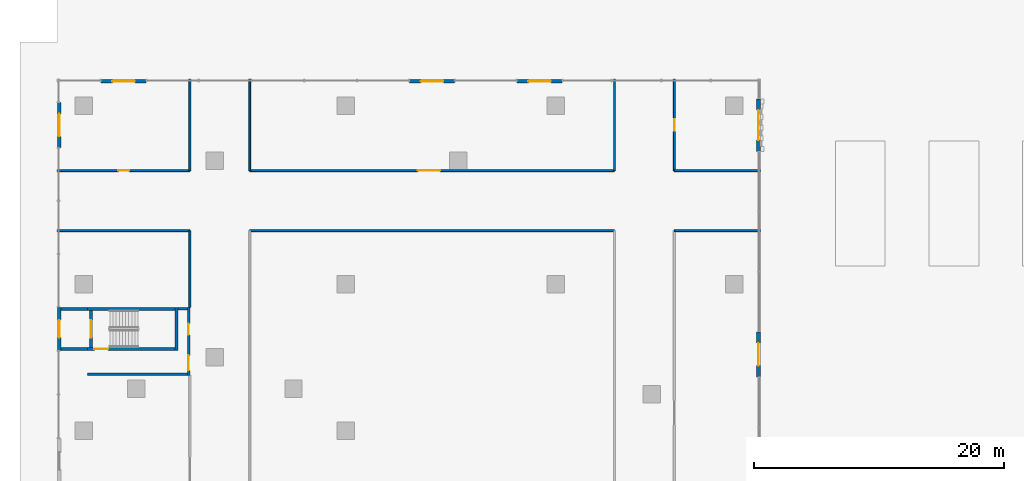
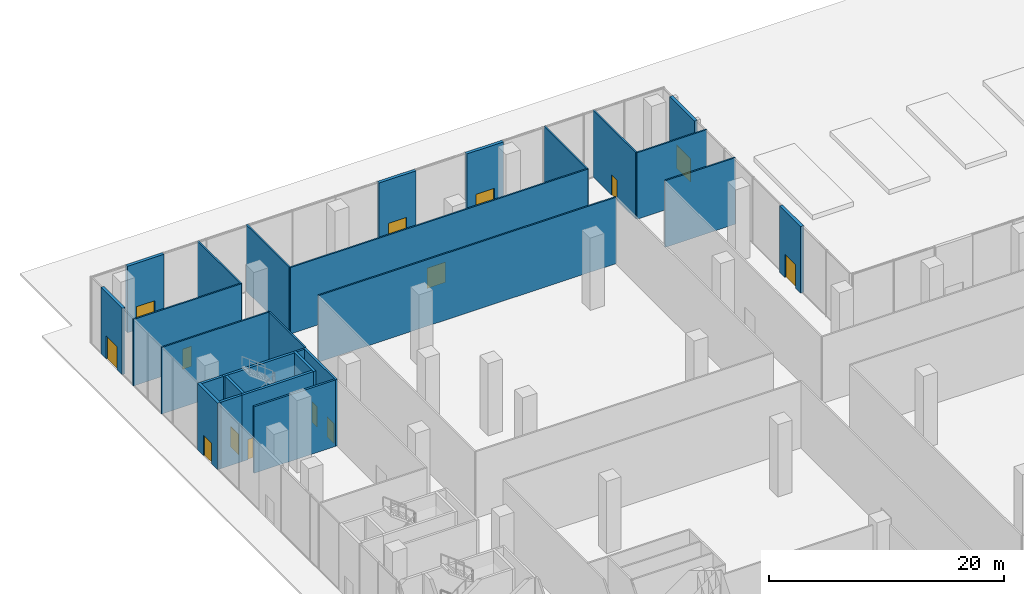
# One storey, part 18 of 26: 27 walls, 14 doors, 14 openings.
"""IFC4 building model written with IfcOpenShell, lengths in metres."""

from ifc_helpers import new_model, si_unit, direction, frame, frame_2d, origin, place, context, subcontext, project, spatial, rectangle, extrude, source, transform, mapped, material, layer, layer_set, type_object, element, fill, save


model = new_model("IFC4")

# Units and contexts
model_context = context("Model", 3, precision=1e-05, world=origin(), true_north=direction((0.0, 1.0)))
body_context = subcontext(model_context, "Body", "Model", "MODEL_VIEW")
ifc_project = project(units=[si_unit("LENGTHUNIT", "METRE"), si_unit("AREAUNIT", "SQUARE_METRE"), si_unit("VOLUMEUNIT", "CUBIC_METRE"), si_unit("PLANEANGLEUNIT", "RADIAN"), si_unit("MASSUNIT", "GRAM", prefix="KILO")], contexts=[model_context])

# Site, building, storey
site_placement = place(None, origin())
site = spatial("IfcSite", under=ifc_project, at=site_placement, CompositionType="ELEMENT")
building_placement = place(site_placement, origin())
building = spatial("IfcBuilding", under=site, at=building_placement, Name="Aurelian Terraces", CompositionType="ELEMENT")
storey_placement = place(building_placement, origin())
storey = spatial("IfcBuildingStorey", under=building, at=storey_placement, Name="L00", CompositionType="ELEMENT", Elevation=0.0)

# Walls
ifc_material_1 = material(Name="Gypsum board on steel studs", Category="steel")
ifc_layer_1 = layer(ifc_material_1, 0.15)
ifc_layer_set_1 = layer_set([ifc_layer_1], Name="Special partition 150")
wall_type_1 = type_object("IfcWallType", Name="Special partition 150", PredefinedType="PARTITIONING", material=ifc_layer_set_1)
wall_1_placement = place(storey_placement, frame((47.3, 74.0, 0.0), z_axis=(0.0, 0.0, 1.0), x_axis=(1.0, 0.0, 0.0)))
element("IfcWall", 1, at=wall_1_placement, inside=storey, type_object=wall_type_1, Name="L00 partition W21", PredefinedType="PARTITIONING", context=body_context, shape_type="SweptSolid", body=[
    extrude(rectangle(XDim=6.88, YDim=0.15, at=frame_2d((3.44, 0.0))), origin(), (0.0, 0.0, 1.0), 6.9),
])
wall_2_placement = place(storey_placement, frame((8.5, 67.85, 0.0), z_axis=(0.0, 0.0, 1.0), x_axis=(0.0, 1.0, 0.0)))
element("IfcWall", 2, at=wall_2_placement, inside=storey, type_object=wall_type_1, Name="L00 partition W28", PredefinedType="PARTITIONING", context=body_context, shape_type="SweptSolid", body=[
    extrude(rectangle(XDim=6.15, YDim=0.15, at=frame_2d((3.075, 0.0))), origin(), (0.0, 0.0, 1.0), 6.9),
])

# Wall, opening, door
ifc_material_2 = material(Name="Terracotta rainscreen cladding", Category="masonry")
ifc_layer_2 = layer(ifc_material_2, 0.3)
ifc_layer_set_2 = layer_set([ifc_layer_2], Name="EW-300")
wall_type_2 = type_object("IfcWallType", Name="EW-300", PredefinedType="STANDARD", material=ifc_layer_set_2)
shared_shape_1 = source(origin(), body_context, "Body", "SweptSolid", [
    extrude(rectangle(XDim=3.6, YDim=0.3, at=frame_2d((1.8, 0.0))), origin(), (0.0, 0.0, 1.0), 6.9),
])
wall_3_placement = place(storey_placement, frame((54.03, 62.29, 0.0), z_axis=(0.0, 0.0, 1.0), x_axis=(0.0, 1.0, 0.0)))
wall_3 = element("IfcWall", 3, at=wall_3_placement, inside=storey, type_object=wall_type_2, Name="Entrance wall L00 F04", PredefinedType="STANDARD", context=body_context, shape_type="MappedRepresentation", body=[
    mapped(shared_shape_1, transform((0.0, 0.0, 0.0), scale=1.0)),
])
shared_shape_2 = source(origin(), body_context, "Body", "SweptSolid", [
    extrude(rectangle(XDim=1.8, YDim=2.4, at=frame_2d((0.9, 1.2))), frame((0.0, 0.16, 0.0), z_axis=(0.0, -1.0, 0.0), x_axis=(1.0, 0.0, 0.0)), (0.0, 0.0, 1.0), 0.32),
])
opening_1_placement = place(wall_3_placement, frame((0.9, 0.0, 0.0)))
opening_1 = element("IfcOpeningElement", 4, at=opening_1_placement, cuts=wall_3, Name="Opening 80010", PredefinedType="OPENING", context=body_context, shape_type="MappedRepresentation", body=[
    mapped(shared_shape_2, transform((0.0, 0.0, 0.0), scale=1.0)),
])
ifc_material_3 = material(Name="Clear glazing", Category="glass")
door_type_1 = type_object("IfcDoorType", Name="ED-1800x2400", OperationType="DOUBLE_DOOR_SINGLE_SWING", PredefinedType="DOOR", material=ifc_material_3)
shared_shape_3 = source(origin(), body_context, "Body", "SweptSolid", [
    extrude(rectangle(XDim=1.8, YDim=2.4, at=frame_2d((0.9, 1.2))), frame((0.0, 0.025, 0.0), z_axis=(0.0, -1.0, 0.0), x_axis=(1.0, 0.0, 0.0)), (0.0, 0.0, 1.0), 0.05),
])
door_1_placement = place(opening_1_placement, origin())
door_1 = element("IfcDoor", 5, at=door_1_placement, inside=storey, type_object=door_type_1, Name="Entrance door L00 F04", OperationType="DOUBLE_DOOR_SINGLE_SWING", OverallHeight=2.4, OverallWidth=1.8, PredefinedType="DOOR", context=body_context, shape_type="MappedRepresentation", body=[
    mapped(shared_shape_3, transform((0.0, 0.0, 0.0), scale=1.0)),
])
fill(opening_1, door_1)

wall_4_placement = place(storey_placement, frame((38.3, 85.95, 0.0), z_axis=(0.0, 0.0, 1.0), x_axis=(-1.0, 0.0, 0.0)))
wall_4 = element("IfcWall", 6, at=wall_4_placement, inside=storey, type_object=wall_type_2, Name="Entrance wall L00 F05", PredefinedType="STANDARD", context=body_context, shape_type="MappedRepresentation", body=[
    mapped(shared_shape_1, transform((0.0, 0.0, 0.0), scale=1.0)),
])
opening_2_placement = place(wall_4_placement, frame((0.9, 0.0, 0.0)))
opening_2 = element("IfcOpeningElement", 7, at=opening_2_placement, cuts=wall_4, Name="Opening 80012", PredefinedType="OPENING", context=body_context, shape_type="MappedRepresentation", body=[
    mapped(shared_shape_2, transform((0.0, 0.0, 0.0), scale=1.0)),
])
door_2_placement = place(opening_2_placement, origin())
door_2 = element("IfcDoor", 8, at=door_2_placement, inside=storey, type_object=door_type_1, Name="Entrance door L00 F05", OperationType="DOUBLE_DOOR_SINGLE_SWING", OverallHeight=2.4, OverallWidth=1.8, PredefinedType="DOOR", context=body_context, shape_type="MappedRepresentation", body=[
    mapped(shared_shape_3, transform((0.0, 0.0, 0.0), scale=1.0)),
])
fill(opening_2, door_2)

wall_5_placement = place(storey_placement, frame((29.7, 85.95, 0.0), z_axis=(0.0, 0.0, 1.0), x_axis=(-1.0, 0.0, 0.0)))
wall_5 = element("IfcWall", 9, at=wall_5_placement, inside=storey, type_object=wall_type_2, Name="Entrance wall L00 F05", PredefinedType="STANDARD", context=body_context, shape_type="MappedRepresentation", body=[
    mapped(shared_shape_1, transform((0.0, 0.0, 0.0), scale=1.0)),
])
opening_3_placement = place(wall_5_placement, frame((0.9, 0.0, 0.0)))
opening_3 = element("IfcOpeningElement", 10, at=opening_3_placement, cuts=wall_5, Name="Opening 80013", PredefinedType="OPENING", context=body_context, shape_type="MappedRepresentation", body=[
    mapped(shared_shape_2, transform((0.0, 0.0, 0.0), scale=1.0)),
])
door_3_placement = place(opening_3_placement, origin())
door_3 = element("IfcDoor", 11, at=door_3_placement, inside=storey, type_object=door_type_1, Name="Entrance door L00 F05", OperationType="DOUBLE_DOOR_SINGLE_SWING", OverallHeight=2.4, OverallWidth=1.8, PredefinedType="DOOR", context=body_context, shape_type="MappedRepresentation", body=[
    mapped(shared_shape_3, transform((0.0, 0.0, 0.0), scale=1.0)),
])
fill(opening_3, door_3)

wall_6_placement = place(storey_placement, frame((5.0, 85.95, 0.0), z_axis=(0.0, 0.0, 1.0), x_axis=(-1.0, 0.0, 0.0)))
wall_6 = element("IfcWall", 12, at=wall_6_placement, inside=storey, type_object=wall_type_2, Name="Entrance wall L00 F05", PredefinedType="STANDARD", context=body_context, shape_type="MappedRepresentation", body=[
    mapped(shared_shape_1, transform((0.0, 0.0, 0.0), scale=1.0)),
])
opening_4_placement = place(wall_6_placement, frame((0.9, 0.0, 0.0)))
opening_4 = element("IfcOpeningElement", 13, at=opening_4_placement, cuts=wall_6, Name="Opening 80014", PredefinedType="OPENING", context=body_context, shape_type="MappedRepresentation", body=[
    mapped(shared_shape_2, transform((0.0, 0.0, 0.0), scale=1.0)),
])
door_4_placement = place(opening_4_placement, origin())
door_4 = element("IfcDoor", 14, at=door_4_placement, inside=storey, type_object=door_type_1, Name="Entrance door L00 F05", OperationType="DOUBLE_DOOR_SINGLE_SWING", OverallHeight=2.4, OverallWidth=1.8, PredefinedType="DOOR", context=body_context, shape_type="MappedRepresentation", body=[
    mapped(shared_shape_3, transform((0.0, 0.0, 0.0), scale=1.0)),
])
fill(opening_4, door_4)

wall_7_placement = place(storey_placement, frame((-1.95, 84.25, 0.0), z_axis=(0.0, 0.0, 1.0), x_axis=(0.0, -1.0, 0.0)))
wall_7 = element("IfcWall", 15, at=wall_7_placement, inside=storey, type_object=wall_type_2, Name="Entrance wall L00 F06", PredefinedType="STANDARD", context=body_context, shape_type="MappedRepresentation", body=[
    mapped(shared_shape_1, transform((0.0, 0.0, 0.0), scale=1.0)),
])
opening_5_placement = place(wall_7_placement, frame((0.9, 0.0, 0.0)))
opening_5 = element("IfcOpeningElement", 16, at=opening_5_placement, cuts=wall_7, Name="Opening 80015", PredefinedType="OPENING", context=body_context, shape_type="MappedRepresentation", body=[
    mapped(shared_shape_2, transform((0.0, 0.0, 0.0), scale=1.0)),
])
door_5_placement = place(opening_5_placement, origin())
door_5 = element("IfcDoor", 17, at=door_5_placement, inside=storey, type_object=door_type_1, Name="Entrance door L00 F06", OperationType="DOUBLE_DOOR_SINGLE_SWING", OverallHeight=2.4, OverallWidth=1.8, PredefinedType="DOOR", context=body_context, shape_type="MappedRepresentation", body=[
    mapped(shared_shape_3, transform((0.0, 0.0, 0.0), scale=1.0)),
])
fill(opening_5, door_5)

shared_shape_4 = source(origin(), body_context, "Body", "SweptSolid", [
    extrude(rectangle(XDim=4.2, YDim=0.3, at=frame_2d((2.1, 0.0))), origin(), (0.0, 0.0, 1.0), 6.9),
])
wall_8_placement = place(storey_placement, frame((54.03, 80.35, 0.0), z_axis=(0.0, 0.0, 1.0), x_axis=(0.0, 1.0, 0.0)))
wall_8 = element("IfcWall", 18, at=wall_8_placement, inside=storey, type_object=wall_type_2, Name="Entrance wall L00 F04", PredefinedType="STANDARD", context=body_context, shape_type="MappedRepresentation", body=[
    mapped(shared_shape_4, transform((0.0, 0.0, 0.0), scale=1.0)),
])
shared_shape_5 = source(origin(), body_context, "Body", "SweptSolid", [
    extrude(rectangle(XDim=2.4, YDim=2.4, at=frame_2d((1.2, 1.2))), frame((0.0, 0.16, 0.0), z_axis=(0.0, -1.0, 0.0), x_axis=(1.0, 0.0, 0.0)), (0.0, 0.0, 1.0), 0.32),
])
opening_6_placement = place(wall_8_placement, frame((0.9, 0.0, 0.0)))
opening_6 = element("IfcOpeningElement", 19, at=opening_6_placement, cuts=wall_8, Name="Opening 80011", PredefinedType="OPENING", context=body_context, shape_type="MappedRepresentation", body=[
    mapped(shared_shape_5, transform((0.0, 0.0, 0.0), scale=1.0)),
])
door_type_2 = type_object("IfcDoorType", Name="ED-2400x2400", OperationType="DOUBLE_DOOR_SINGLE_SWING", PredefinedType="DOOR", material=ifc_material_3)
shared_shape_6 = source(origin(), body_context, "Body", "SweptSolid", [
    extrude(rectangle(XDim=2.4, YDim=2.4, at=frame_2d((1.2, 1.2))), frame((0.0, 0.025, 0.0), z_axis=(0.0, -1.0, 0.0), x_axis=(1.0, 0.0, 0.0)), (0.0, 0.0, 1.0), 0.05),
])
door_6_placement = place(opening_6_placement, origin())
door_6 = element("IfcDoor", 20, at=door_6_placement, inside=storey, type_object=door_type_2, Name="Entrance door L00 F04", OperationType="DOUBLE_DOOR_SINGLE_SWING", OverallHeight=2.4, OverallWidth=2.4, PredefinedType="DOOR", context=body_context, shape_type="MappedRepresentation", body=[
    mapped(shared_shape_6, transform((0.0, 0.0, 0.0), scale=1.0)),
])
fill(opening_6, door_6)

ifc_material_4 = material(Name="Concrete fc' 40 MPa", Category="concrete")
ifc_layer_3 = layer(ifc_material_4, 0.25)
ifc_layer_set_3 = layer_set([ifc_layer_3], Name="Stair enclosure wall 250")
wall_type_3 = type_object("IfcWallType", Name="Stair enclosure wall 250", PredefinedType="SOLIDWALL", material=ifc_layer_set_3)
shared_shape_7 = source(origin(), body_context, "Body", "SweptSolid", [
    extrude(rectangle(XDim=7.0, YDim=0.25, at=frame_2d((3.5, 0.0))), origin(), (0.0, 0.0, 1.0), 6.9),
])
wall_9_placement = place(storey_placement, frame((0.3, 64.525, 0.0), z_axis=(0.0, 0.0, 1.0), x_axis=(1.0, 0.0, 0.0)))
wall_9 = element("IfcWall", 21, at=wall_9_placement, inside=storey, type_object=wall_type_3, Name="L00 core wall ST-S5-W", PredefinedType="SOLIDWALL", context=body_context, shape_type="MappedRepresentation", body=[
    mapped(shared_shape_7, transform((0.0, 0.0, 0.0), scale=1.0)),
])
shared_shape_8 = source(origin(), body_context, "Body", "SweptSolid", [
    extrude(rectangle(XDim=1.1, YDim=2.1, at=frame_2d((0.55, 1.05))), frame((0.0, 0.135, 0.0), z_axis=(0.0, -1.0, 0.0), x_axis=(1.0, 0.0, 0.0)), (0.0, 0.0, 1.0), 0.27),
])
opening_7_placement = place(wall_9_placement, frame((0.55, 0.0, 0.0)))
opening_7 = element("IfcOpeningElement", 22, at=opening_7_placement, cuts=wall_9, Name="Opening 60336", PredefinedType="OPENING", context=body_context, shape_type="MappedRepresentation", body=[
    mapped(shared_shape_8, transform((0.0, 0.0, 0.0), scale=1.0)),
])
ifc_material_5 = material(Name="Steel door leaf", Category="steel")
door_type_3 = type_object("IfcDoorType", Name="Core fire door 1100x2100 right", OperationType="SINGLE_SWING_RIGHT", PredefinedType="DOOR", material=ifc_material_5)
shared_shape_9 = source(origin(), body_context, "Body", "SweptSolid", [
    extrude(rectangle(XDim=1.1, YDim=2.1, at=frame_2d((0.55, 1.05))), frame((0.0, 0.025, 0.0), z_axis=(0.0, -1.0, 0.0), x_axis=(1.0, 0.0, 0.0)), (0.0, 0.0, 1.0), 0.05),
])
door_7_placement = place(opening_7_placement, origin())
door_7 = element("IfcDoor", 23, at=door_7_placement, inside=storey, type_object=door_type_3, Name="Stair door 60336", OperationType="SINGLE_SWING_RIGHT", OverallHeight=2.1, OverallWidth=1.1, PredefinedType="DOOR", context=body_context, shape_type="MappedRepresentation", body=[
    mapped(shared_shape_9, transform((0.0, 0.0, 0.0), scale=1.0)),
])
fill(opening_7, door_7)

# Walls
wall_10_placement = place(storey_placement, frame((0.3, 67.725, 0.0), z_axis=(0.0, 0.0, 1.0), x_axis=(1.0, 0.0, 0.0)))
element("IfcWall", 24, at=wall_10_placement, inside=storey, type_object=wall_type_3, Name="L00 core wall ST-S5-E", PredefinedType="SOLIDWALL", context=body_context, shape_type="MappedRepresentation", body=[
    mapped(shared_shape_7, transform((0.0, 0.0, 0.0), scale=1.0)),
])
shared_shape_10 = source(origin(), body_context, "Body", "SweptSolid", [
    extrude(rectangle(XDim=2.1, YDim=0.25, at=frame_2d((1.05, 0.0))), origin(), (0.0, 0.0, 1.0), 6.9),
])
for number, where, z_axis, x_axis, name in (
    (25, (-1.8, 64.525, 0.0), (0.0, 0.0, 1.0), (1.0, 0.0, 0.0), "L00 core wall ST-S5-PW"),
    (26, (-1.8, 67.725, 0.0), (0.0, 0.0, 1.0), (1.0, 0.0, 0.0), "L00 core wall ST-S5-PE"),
):
    element("IfcWall", number, at=place(storey_placement, frame(where, z_axis=z_axis, x_axis=x_axis)), inside=storey, type_object=wall_type_3, Name=name, PredefinedType="SOLIDWALL", context=body_context, shape_type="MappedRepresentation", body=[
        mapped(shared_shape_10, transform((0.0, 0.0, 0.0), scale=1.0)),
    ])
shared_shape_11 = source(origin(), body_context, "Body", "SweptSolid", [
    extrude(rectangle(XDim=3.45, YDim=0.25, at=frame_2d((1.725, 0.0))), origin(), (0.0, 0.0, 1.0), 6.9),
])
wall_11_placement = place(storey_placement, frame((7.425, 64.4, 0.0), z_axis=(0.0, 0.0, 1.0), x_axis=(0.0, 1.0, 0.0)))
element("IfcWall", 27, at=wall_11_placement, inside=storey, type_object=wall_type_3, Name="L00 core wall ST-S5-N", PredefinedType="SOLIDWALL", context=body_context, shape_type="MappedRepresentation", body=[
    mapped(shared_shape_11, transform((0.0, 0.0, 0.0), scale=1.0)),
])

# Wall, opening, door
shared_shape_12 = source(origin(), body_context, "Body", "SweptSolid", [
    extrude(rectangle(XDim=2.95, YDim=0.25, at=frame_2d((1.475, 0.0))), origin(), (0.0, 0.0, 1.0), 6.9),
])
wall_12_placement = place(storey_placement, frame((0.575, 67.6, 0.0), z_axis=(0.0, 0.0, 1.0), x_axis=(0.0, -1.0, 0.0)))
wall_12 = element("IfcWall", 28, at=wall_12_placement, inside=storey, type_object=wall_type_3, Name="L00 core wall ST-S5-SS", PredefinedType="SOLIDWALL", context=body_context, shape_type="MappedRepresentation", body=[
    mapped(shared_shape_12, transform((0.0, 0.0, 0.0), scale=1.0)),
])
shared_shape_13 = source(origin(), body_context, "Body", "SweptSolid", [
    extrude(rectangle(XDim=1.4, YDim=2.1, at=frame_2d((0.7, 1.05))), frame((0.0, 0.135, 0.0), z_axis=(0.0, -1.0, 0.0), x_axis=(1.0, 0.0, 0.0)), (0.0, 0.0, 1.0), 0.27),
])
opening_8_placement = place(wall_12_placement, frame((0.775, 0.0, 0.0)))
opening_8 = element("IfcOpeningElement", 29, at=opening_8_placement, cuts=wall_12, Name="Opening 60337", PredefinedType="OPENING", context=body_context, shape_type="MappedRepresentation", body=[
    mapped(shared_shape_13, transform((0.0, 0.0, 0.0), scale=1.0)),
])
door_type_4 = type_object("IfcDoorType", Name="Core exit door 1400x2100", OperationType="DOUBLE_DOOR_SINGLE_SWING", PredefinedType="DOOR", material=ifc_material_5)
shared_shape_14 = source(origin(), body_context, "Body", "SweptSolid", [
    extrude(rectangle(XDim=1.4, YDim=2.1, at=frame_2d((0.7, 1.05))), frame((0.0, 0.025, 0.0), z_axis=(0.0, -1.0, 0.0), x_axis=(1.0, 0.0, 0.0)), (0.0, 0.0, 1.0), 0.05),
])
door_8_placement = place(opening_8_placement, origin())
door_8 = element("IfcDoor", 30, at=door_8_placement, inside=storey, type_object=door_type_4, Name="Exit door 60337", OperationType="DOUBLE_DOOR_SINGLE_SWING", OverallHeight=2.1, OverallWidth=1.4, PredefinedType="DOOR", context=body_context, shape_type="MappedRepresentation", body=[
    mapped(shared_shape_14, transform((0.0, 0.0, 0.0), scale=1.0)),
])
fill(opening_8, door_8)

# Wall
ifc_layer_4 = layer(ifc_material_1, 0.2)
ifc_layer_set_4 = layer_set([ifc_layer_4], Name="Core partition 200")
wall_type_4 = type_object("IfcWallType", Name="Core partition 200", PredefinedType="PARTITIONING", material=ifc_layer_set_4)
shared_shape_15 = source(origin(), body_context, "Body", "SweptSolid", [
    extrude(rectangle(XDim=8.0, YDim=0.2, at=frame_2d((4.0, 0.0))), origin(), (0.0, 0.0, 1.0), 6.9),
])
wall_13_placement = place(storey_placement, frame((0.3, 62.5, 0.0), z_axis=(0.0, 0.0, 1.0), x_axis=(1.0, 0.0, 0.0)))
element("IfcWall", 31, at=wall_13_placement, inside=storey, type_object=wall_type_4, Name="L00 core wall ST-S5-VW", PredefinedType="PARTITIONING", context=body_context, shape_type="MappedRepresentation", body=[
    mapped(shared_shape_15, transform((0.0, 0.0, 0.0), scale=1.0)),
])

# Wall, openings, doors
shared_shape_16 = source(origin(), body_context, "Body", "SweptSolid", [
    extrude(rectangle(XDim=5.45, YDim=0.2, at=frame_2d((2.725, 0.0))), origin(), (0.0, 0.0, 1.0), 6.9),
])
wall_14_placement = place(storey_placement, frame((8.4, 67.85, 0.0), z_axis=(0.0, 0.0, 1.0), x_axis=(0.0, -1.0, 0.0)))
wall_14 = element("IfcWall", 32, at=wall_14_placement, inside=storey, type_object=wall_type_4, Name="L00 core wall ST-S5-BN", PredefinedType="PARTITIONING", context=body_context, shape_type="MappedRepresentation", body=[
    mapped(shared_shape_16, transform((0.0, 0.0, 0.0), scale=1.0)),
])
shared_shape_17 = source(origin(), body_context, "Body", "SweptSolid", [
    extrude(rectangle(XDim=1.2, YDim=2.1, at=frame_2d((0.6, 1.05))), frame((0.0, 0.11, 0.0), z_axis=(0.0, -1.0, 0.0), x_axis=(1.0, 0.0, 0.0)), (0.0, 0.0, 1.0), 0.22),
])
opening_9_placement = place(wall_14_placement, frame((3.85, 0.0, 0.0)))
opening_9 = element("IfcOpeningElement", 33, at=opening_9_placement, cuts=wall_14, Name="Opening 60338", PredefinedType="OPENING", context=body_context, shape_type="MappedRepresentation", body=[
    mapped(shared_shape_17, transform((0.0, 0.0, 0.0), scale=1.0)),
])
shared_shape_18 = source(origin(), body_context, "Body", "SweptSolid", [
    extrude(rectangle(XDim=0.9, YDim=2.1, at=frame_2d((0.45, 1.05))), frame((0.0, 0.11, 0.0), z_axis=(0.0, -1.0, 0.0), x_axis=(1.0, 0.0, 0.0)), (0.0, 0.0, 1.0), 0.22),
])
opening_10_placement = place(wall_14_placement, frame((1.3, 0.0, 0.0)))
opening_10 = element("IfcOpeningElement", 34, at=opening_10_placement, cuts=wall_14, Name="Opening 60339", PredefinedType="OPENING", context=body_context, shape_type="MappedRepresentation", body=[
    mapped(shared_shape_18, transform((0.0, 0.0, 0.0), scale=1.0)),
])
door_type_5 = type_object("IfcDoorType", Name="Core riser door 900x2100", OperationType="SINGLE_SWING_LEFT", PredefinedType="DOOR", material=ifc_material_5)
shared_shape_19 = source(origin(), body_context, "Body", "SweptSolid", [
    extrude(rectangle(XDim=0.9, YDim=2.1, at=frame_2d((0.45, 1.05))), frame((0.0, 0.025, 0.0), z_axis=(0.0, -1.0, 0.0), x_axis=(1.0, 0.0, 0.0)), (0.0, 0.0, 1.0), 0.05),
])
door_9_placement = place(opening_10_placement, origin())
door_9 = element("IfcDoor", 35, at=door_9_placement, inside=storey, type_object=door_type_5, Name="Riser door 60339", OperationType="SINGLE_SWING_LEFT", OverallHeight=2.1, OverallWidth=0.9, PredefinedType="DOOR", context=body_context, shape_type="MappedRepresentation", body=[
    mapped(shared_shape_19, transform((0.0, 0.0, 0.0), scale=1.0)),
])
fill(opening_10, door_9)
door_type_6 = type_object("IfcDoorType", Name="Core fire door 1200x2100 right", OperationType="SINGLE_SWING_RIGHT", PredefinedType="DOOR", material=ifc_material_5)
shared_shape_20 = source(origin(), body_context, "Body", "SweptSolid", [
    extrude(rectangle(XDim=1.2, YDim=2.1, at=frame_2d((0.6, 1.05))), frame((0.0, 0.025, 0.0), z_axis=(0.0, -1.0, 0.0), x_axis=(1.0, 0.0, 0.0)), (0.0, 0.0, 1.0), 0.05),
])
door_10_placement = place(opening_9_placement, origin())
door_10 = element("IfcDoor", 36, at=door_10_placement, inside=storey, type_object=door_type_6, Name="Vestibule door 60338", OperationType="SINGLE_SWING_RIGHT", OverallHeight=2.1, OverallWidth=1.2, PredefinedType="DOOR", context=body_context, shape_type="MappedRepresentation", body=[
    mapped(shared_shape_20, transform((0.0, 0.0, 0.0), scale=1.0)),
])
fill(opening_9, door_10)

# Wall
shared_shape_21 = source(origin(), body_context, "Body", "SweptSolid", [
    extrude(rectangle(XDim=0.75, YDim=0.2, at=frame_2d((0.375, 0.0))), origin(), (0.0, 0.0, 1.0), 6.9),
])
wall_15_placement = place(storey_placement, frame((7.55, 67.75, 0.0), z_axis=(0.0, 0.0, 1.0), x_axis=(1.0, 0.0, 0.0)))
element("IfcWall", 37, at=wall_15_placement, inside=storey, type_object=wall_type_4, Name="L00 core wall ST-S5-RE", PredefinedType="PARTITIONING", context=body_context, shape_type="MappedRepresentation", body=[
    mapped(shared_shape_21, transform((0.0, 0.0, 0.0), scale=1.0)),
])

# Wall, opening, door
ifc_layer_5 = layer(ifc_material_1, 0.3)
ifc_layer_set_5 = layer_set([ifc_layer_5], Name="Core partition 300")
wall_type_5 = type_object("IfcWallType", Name="Core partition 300", PredefinedType="PARTITIONING", material=ifc_layer_set_5)
shared_shape_22 = source(origin(), body_context, "Body", "SweptSolid", [
    extrude(rectangle(XDim=3.45, YDim=0.3, at=frame_2d((1.725, 0.0))), origin(), (0.0, 0.0, 1.0), 6.9),
])
wall_16_placement = place(storey_placement, frame((-1.95, 64.4, 0.0), z_axis=(0.0, 0.0, 1.0), x_axis=(0.0, 1.0, 0.0)))
wall_16 = element("IfcWall", 38, at=wall_16_placement, inside=storey, type_object=wall_type_5, Name="L00 core wall ST-S5-PO", PredefinedType="PARTITIONING", context=body_context, shape_type="MappedRepresentation", body=[
    mapped(shared_shape_22, transform((0.0, 0.0, 0.0), scale=1.0)),
])
shared_shape_23 = source(origin(), body_context, "Body", "SweptSolid", [
    extrude(rectangle(XDim=1.4, YDim=2.1, at=frame_2d((0.7, 1.05))), frame((0.0, 0.16, 0.0), z_axis=(0.0, -1.0, 0.0), x_axis=(1.0, 0.0, 0.0)), (0.0, 0.0, 1.0), 0.32),
])
opening_11_placement = place(wall_16_placement, frame((1.025, 0.0, 0.0)))
opening_11 = element("IfcOpeningElement", 39, at=opening_11_placement, cuts=wall_16, Name="Opening 60340", PredefinedType="OPENING", context=body_context, shape_type="MappedRepresentation", body=[
    mapped(shared_shape_23, transform((0.0, 0.0, 0.0), scale=1.0)),
])
door_11_placement = place(opening_11_placement, origin())
door_11 = element("IfcDoor", 40, at=door_11_placement, inside=storey, type_object=door_type_4, Name="Exit door 60340", OperationType="DOUBLE_DOOR_SINGLE_SWING", OverallHeight=2.1, OverallWidth=1.4, PredefinedType="DOOR", context=body_context, shape_type="MappedRepresentation", body=[
    mapped(shared_shape_14, transform((0.0, 0.0, 0.0), scale=1.0)),
])
fill(opening_11, door_11)

# Walls
shared_shape_24 = source(origin(), body_context, "Body", "SweptSolid", [
    extrude(rectangle(XDim=7.3, YDim=0.15, at=frame_2d((3.65, 0.0))), origin(), (0.0, 0.0, 1.0), 6.9),
])
for number, where, z_axis, x_axis, name in (
    (41, (8.5, 78.8, 0.0), (0.0, 0.0, 1.0), (0.0, 1.0, 0.0), "L00 partition W29"),
    (42, (13.3, 78.8, 0.0), (0.0, 0.0, 1.0), (0.0, 1.0, 0.0), "L00 partition W32"),
    (43, (42.5, 78.8, 0.0), (0.0, 0.0, 1.0), (0.0, 1.0, 0.0), "L00 partition W39"),
):
    element("IfcWall", number, at=place(storey_placement, frame(where, z_axis=z_axis, x_axis=x_axis)), inside=storey, type_object=wall_type_1, Name=name, PredefinedType="PARTITIONING", context=body_context, shape_type="MappedRepresentation", body=[
        mapped(shared_shape_24, transform((0.0, 0.0, 0.0), scale=1.0)),
    ])

# Wall, opening, door
wall_17_placement = place(storey_placement, frame((47.3, 78.8, 0.0), z_axis=(0.0, 0.0, 1.0), x_axis=(0.0, 1.0, 0.0)))
wall_17 = element("IfcWall", 44, at=wall_17_placement, inside=storey, type_object=wall_type_1, Name="L00 partition W43", PredefinedType="PARTITIONING", context=body_context, shape_type="MappedRepresentation", body=[
    mapped(shared_shape_24, transform((0.0, 0.0, 0.0), scale=1.0)),
])
shared_shape_25 = source(origin(), body_context, "Body", "SweptSolid", [
    extrude(rectangle(XDim=0.9, YDim=2.1, at=frame_2d((0.45, 1.05))), frame((0.0, 0.085, 0.0), z_axis=(0.0, -1.0, 0.0), x_axis=(1.0, 0.0, 0.0)), (0.0, 0.0, 1.0), 0.17),
])
opening_12_placement = place(wall_17_placement, frame((3.2, 0.0, 0.0)))
opening_12 = element("IfcOpeningElement", 45, at=opening_12_placement, cuts=wall_17, Name="Opening 70314", PredefinedType="OPENING", context=body_context, shape_type="MappedRepresentation", body=[
    mapped(shared_shape_25, transform((0.0, 0.0, 0.0), scale=1.0)),
])
ifc_material_6 = material(Name="Timber door leaf", Category="wood")
door_type_7 = type_object("IfcDoorType", Name="Special door 900x2100", OperationType="SINGLE_SWING_LEFT", PredefinedType="DOOR", material=ifc_material_6)
door_12_placement = place(opening_12_placement, origin())
door_12 = element("IfcDoor", 46, at=door_12_placement, inside=storey, type_object=door_type_7, Name="Door 70314", OperationType="SINGLE_SWING_LEFT", OverallHeight=2.1, OverallWidth=0.9, PredefinedType="DOOR", context=body_context, shape_type="MappedRepresentation", body=[
    mapped(shared_shape_19, transform((0.0, 0.0, 0.0), scale=1.0)),
])
fill(opening_12, door_12)

# Wall
shared_shape_26 = source(origin(), body_context, "Body", "SweptSolid", [
    extrude(rectangle(XDim=29.2, YDim=0.15, at=frame_2d((14.6, 0.0))), origin(), (0.0, 0.0, 1.0), 6.9),
])
wall_18_placement = place(storey_placement, frame((13.3, 74.0, 0.0), z_axis=(0.0, 0.0, 1.0), x_axis=(1.0, 0.0, 0.0)))
element("IfcWall", 47, at=wall_18_placement, inside=storey, type_object=wall_type_1, Name="L00 partition W20", PredefinedType="PARTITIONING", context=body_context, shape_type="MappedRepresentation", body=[
    mapped(shared_shape_26, transform((0.0, 0.0, 0.0), scale=1.0)),
])

# Wall, opening, door
wall_19_placement = place(storey_placement, frame((13.3, 78.8, 0.0), z_axis=(0.0, 0.0, 1.0), x_axis=(1.0, 0.0, 0.0)))
wall_19 = element("IfcWall", 48, at=wall_19_placement, inside=storey, type_object=wall_type_1, Name="L00 partition W23", PredefinedType="PARTITIONING", context=body_context, shape_type="MappedRepresentation", body=[
    mapped(shared_shape_26, transform((0.0, 0.0, 0.0), scale=1.0)),
])
shared_shape_27 = source(origin(), body_context, "Body", "SweptSolid", [
    extrude(rectangle(XDim=1.8, YDim=2.1, at=frame_2d((0.9, 1.05))), frame((0.0, 0.085, 0.0), z_axis=(0.0, -1.0, 0.0), x_axis=(1.0, 0.0, 0.0)), (0.0, 0.0, 1.0), 0.17),
])
opening_13_placement = place(wall_19_placement, frame((13.45, 0.0, 0.0)))
opening_13 = element("IfcOpeningElement", 49, at=opening_13_placement, cuts=wall_19, Name="Opening 70305", PredefinedType="OPENING", context=body_context, shape_type="MappedRepresentation", body=[
    mapped(shared_shape_27, transform((0.0, 0.0, 0.0), scale=1.0)),
])
door_type_8 = type_object("IfcDoorType", Name="Special double door 1800x2100", OperationType="DOUBLE_DOOR_SINGLE_SWING", PredefinedType="DOOR", material=ifc_material_6)
shared_shape_28 = source(origin(), body_context, "Body", "SweptSolid", [
    extrude(rectangle(XDim=1.8, YDim=2.1, at=frame_2d((0.9, 1.05))), frame((0.0, 0.025, 0.0), z_axis=(0.0, -1.0, 0.0), x_axis=(1.0, 0.0, 0.0)), (0.0, 0.0, 1.0), 0.05),
])
door_13_placement = place(opening_13_placement, origin())
door_13 = element("IfcDoor", 50, at=door_13_placement, inside=storey, type_object=door_type_8, Name="Door 70305", OperationType="DOUBLE_DOOR_SINGLE_SWING", OverallHeight=2.1, OverallWidth=1.8, PredefinedType="DOOR", context=body_context, shape_type="MappedRepresentation", body=[
    mapped(shared_shape_28, transform((0.0, 0.0, 0.0), scale=1.0)),
])
fill(opening_13, door_13)

# Wall
shared_shape_29 = source(origin(), body_context, "Body", "SweptSolid", [
    extrude(rectangle(XDim=10.6, YDim=0.15, at=frame_2d((5.3, 0.0))), origin(), (0.0, 0.0, 1.0), 6.9),
])
wall_20_placement = place(storey_placement, frame((-2.1, 74.0, 0.0), z_axis=(0.0, 0.0, 1.0), x_axis=(1.0, 0.0, 0.0)))
element("IfcWall", 51, at=wall_20_placement, inside=storey, type_object=wall_type_1, Name="L00 partition W19", PredefinedType="PARTITIONING", context=body_context, shape_type="MappedRepresentation", body=[
    mapped(shared_shape_29, transform((0.0, 0.0, 0.0), scale=1.0)),
])

# Wall, opening, door
wall_21_placement = place(storey_placement, frame((-2.1, 78.8, 0.0), z_axis=(0.0, 0.0, 1.0), x_axis=(1.0, 0.0, 0.0)))
wall_21 = element("IfcWall", 52, at=wall_21_placement, inside=storey, type_object=wall_type_1, Name="L00 partition W22", PredefinedType="PARTITIONING", context=body_context, shape_type="MappedRepresentation", body=[
    mapped(shared_shape_29, transform((0.0, 0.0, 0.0), scale=1.0)),
])
opening_14_placement = place(wall_21_placement, frame((4.85, 0.0, 0.0)))
opening_14 = element("IfcOpeningElement", 53, at=opening_14_placement, cuts=wall_21, Name="Opening 70304", PredefinedType="OPENING", context=body_context, shape_type="MappedRepresentation", body=[
    mapped(shared_shape_25, transform((0.0, 0.0, 0.0), scale=1.0)),
])
door_14_placement = place(opening_14_placement, origin())
door_14 = element("IfcDoor", 54, at=door_14_placement, inside=storey, type_object=door_type_7, Name="Door 70304", OperationType="SINGLE_SWING_LEFT", OverallHeight=2.1, OverallWidth=0.9, PredefinedType="DOOR", context=body_context, shape_type="MappedRepresentation", body=[
    mapped(shared_shape_19, transform((0.0, 0.0, 0.0), scale=1.0)),
])
fill(opening_14, door_14)

# Wall
shared_shape_30 = source(origin(), body_context, "Body", "SweptSolid", [
    extrude(rectangle(XDim=6.88, YDim=0.15, at=frame_2d((3.44, 0.0))), origin(), (0.0, 0.0, 1.0), 6.9),
])
wall_22_placement = place(storey_placement, frame((47.3, 78.8, 0.0), z_axis=(0.0, 0.0, 1.0), x_axis=(1.0, 0.0, 0.0)))
element("IfcWall", 55, at=wall_22_placement, inside=storey, type_object=wall_type_1, Name="L00 partition W24", PredefinedType="PARTITIONING", context=body_context, shape_type="MappedRepresentation", body=[
    mapped(shared_shape_30, transform((0.0, 0.0, 0.0), scale=1.0)),
])

save(model, "model.ifc")
